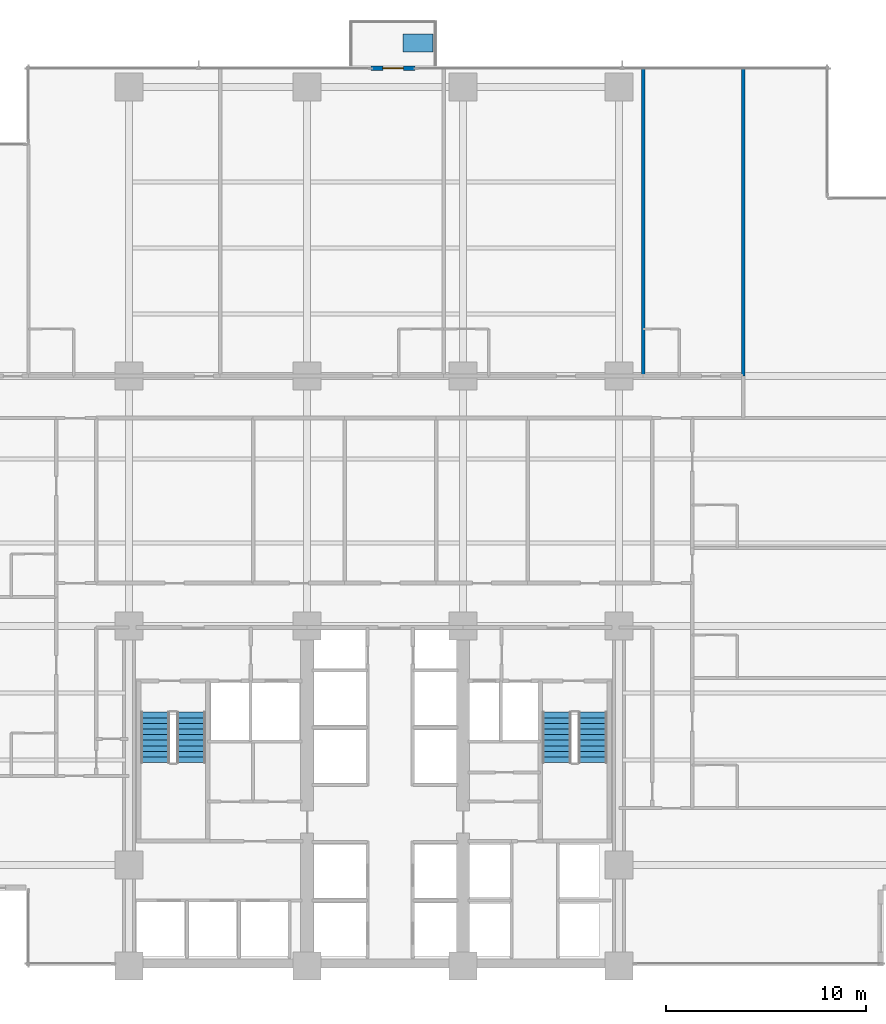
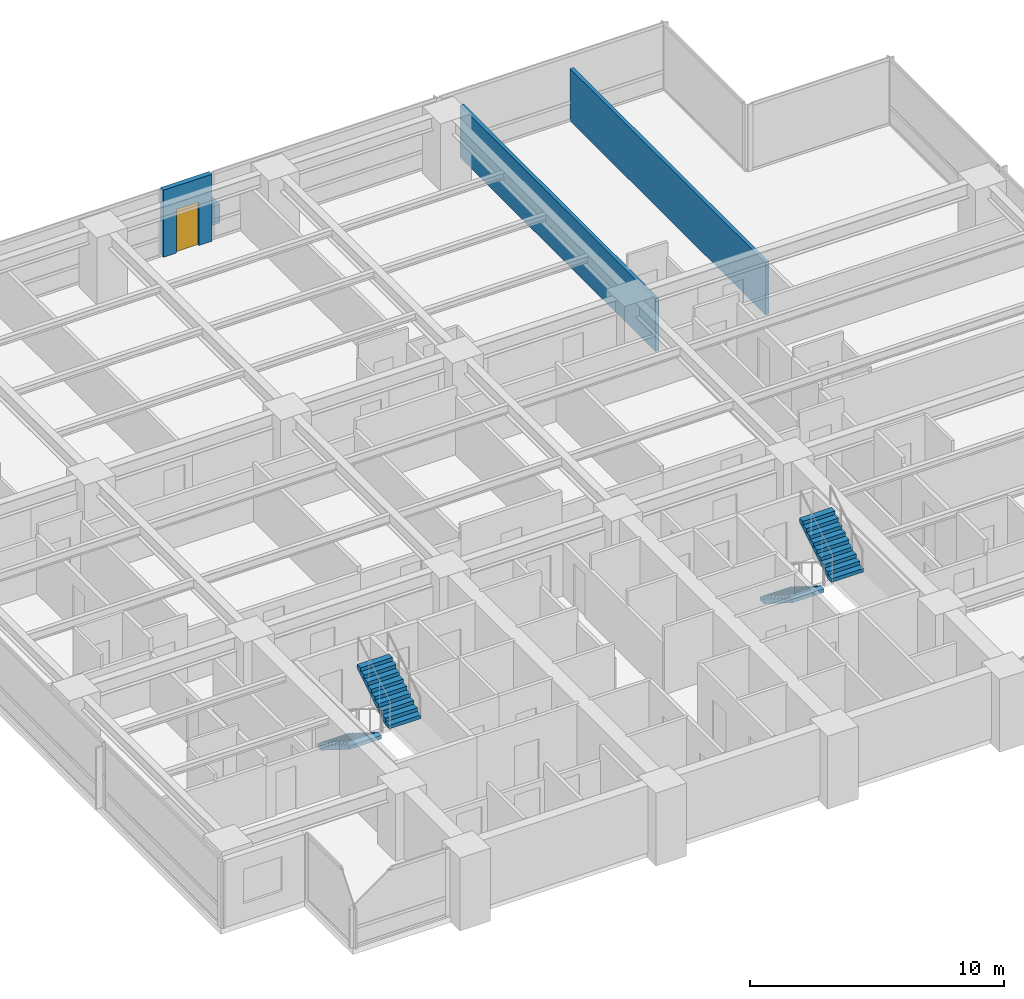
# One storey, part 11 of 17: 4 stair flights, 3 walls, 1 discrete accessory, 1 door, 1 opening, 2 elements without a shape of their own.
"""IFC4 building model written with IfcOpenShell, lengths in metres."""

from ifc_helpers import new_model, si_unit, direction, frame, frame_2d, origin, place, context, subcontext, project, spatial, polyline, rectangle, outline, extrude, material, layer, layer_set, type_object, element, fill, aggregate, save


model = new_model("IFC4")

# Units and contexts
model_context = context("Model", 3, precision=1e-05, world=origin(), true_north=direction((0.0, 1.0)))
body_context = subcontext(model_context, "Body", "Model", "MODEL_VIEW")
ifc_project = project(units=[si_unit("LENGTHUNIT", "METRE"), si_unit("AREAUNIT", "SQUARE_METRE"), si_unit("VOLUMEUNIT", "CUBIC_METRE"), si_unit("PLANEANGLEUNIT", "RADIAN"), si_unit("MASSUNIT", "GRAM", prefix="KILO")], contexts=[model_context])

# Site, building, storey
site_placement = place(None, origin())
site = spatial("IfcSite", under=ifc_project, at=site_placement, CompositionType="ELEMENT")
building_placement = place(site_placement, origin())
building = spatial("IfcBuilding", under=site, at=building_placement, Name="Qalmaran Belvedere Hotel", CompositionType="ELEMENT")
storey_placement = place(building_placement, frame((0.0, 0.0, 47.39990234375)))
storey = spatial("IfcBuildingStorey", under=building, at=storey_placement, Name="L11", CompositionType="ELEMENT", Elevation=47.39990234375)

# Wall, opening, door
ifc_material_1 = material(Name="Anodised Bronze Cladding")
ifc_layer_1 = layer(ifc_material_1, 0.22509765625, Name="Anodised Bronze Cladding")
ifc_layer_set_1 = layer_set([ifc_layer_1], Name="Anodised Bronze Cladding")
wall_type_1 = type_object("IfcWallType", Name="WL-BAL-PORT-225", PredefinedType="SOLIDWALL", material=ifc_layer_set_1)
wall_placement = place(storey_placement, frame((32.39990234375, 48.3798828125, 0.0), z_axis=(0.0, 0.0, 1.0), x_axis=(1.0, 0.0, 0.0)))
wall = element("IfcWall", 1, at=wall_placement, inside=storey, type_object=wall_type_1, Name="L11 Tree Balcony Door Portal", PredefinedType="SOLIDWALL", context=body_context, shape_type="SweptSolid", body=[
    extrude(rectangle(XDim=2.2001953125, YDim=0.22509765625, at=frame_2d((1.10009765625, 0.0))), origin(), (0.0, 0.0, 1.0), 3.22021484375),
])
opening_placement = place(wall_placement, frame((0.590087890625, 0.0, 0.0)))
opening = element("IfcOpeningElement", 2, at=opening_placement, cuts=wall, Name="Opening BL-102", PredefinedType="OPENING", context=body_context, shape_type="SweptSolid", body=[
    extrude(rectangle(XDim=1.02001953125, YDim=2.10009765625, at=frame_2d((0.510009765625, 1.050048828125))), frame((0.0, 0.12255859375, 0.0), z_axis=(0.0, -1.0, 0.0), x_axis=(1.0, 0.0, 0.0)), (0.0, 0.0, 1.0), 0.2451171875),
])
ifc_material_2 = material(Name="Anodised Bronze Aluminium", Category="aluminium")
door_type = type_object("IfcDoorType", Name="DR-BAL-1020X2100", OperationType="NOTDEFINED", PredefinedType="DOOR", material=ifc_material_2)
door_placement = place(opening_placement, origin())
door = element("IfcDoor", 3, at=door_placement, inside=storey, type_object=door_type, Name="L11 Planted Tree Balcony Door", OperationType="SINGLE_SWING_RIGHT", OverallHeight=2.10009765625, OverallWidth=1.02001953125, PredefinedType="DOOR", context=body_context, shape_type="SweptSolid", body=[
    extrude(rectangle(XDim=1.02001953125, YDim=2.10009765625, at=frame_2d((0.510009765625, 1.050048828125))), frame((0.0, 0.02490234375, 0.0), z_axis=(0.0, -1.0, 0.0), x_axis=(1.0, 0.0, 0.0)), (0.0, 0.0, 1.0), 0.050048828125),
])
fill(opening, door)

# Walls
ifc_material_3 = material(Name="Gypsum Stud Partition")
ifc_layer_2 = layer(ifc_material_3, 0.159912109375, Name="Gypsum Stud Partition")
ifc_layer_set_2 = layer_set([ifc_layer_2], Name="Gypsum Stud Partition")
wall_type_2 = type_object("IfcWallType", Name="WL-INT-160-EI60", PredefinedType="PARTITIONING", material=ifc_layer_set_2)
for number, where, z_axis, x_axis, name in (
    (4, (46.000732421875, 33.0, 0.0), (0.0, 0.0, 1.0), (0.0, 1.0, 0.0), "L11 Partition WL-L11-NUR02"),
    (5, (51.0, 33.0, 0.0), (0.0, 0.0, 1.0), (0.0, 1.0, 0.0), "L11 Partition WL-L11-NUR03"),
):
    element("IfcWall", number, at=place(storey_placement, frame(where, z_axis=z_axis, x_axis=x_axis)), inside=storey, type_object=wall_type_2, Name=name, PredefinedType="PARTITIONING", context=body_context, shape_type="SweptSolid", body=[
        extrude(rectangle(XDim=15.3798828125, YDim=0.159912109375, at=frame_2d((7.68994140625, 0.0))), origin(), (0.0, 0.0, 1.0), 2.510009765625),
    ])

# Stair, stair flights
ifc_material_4 = material(Name="Concrete C40/50", Category="concrete")
stair_type_1 = type_object("IfcStairType", Name="STR-ST-1-1450-R1750", PredefinedType="HALF_TURN_STAIR", material=ifc_material_4)
stair_1_placement = place(storey_placement, origin())
stair_1 = element("IfcStair", 6, at=stair_1_placement, inside=storey, type_object=stair_type_1, Name="L11 West Core Exit Stair ST-1", PredefinedType="HALF_TURN_STAIR")
ifc_layer_3 = layer(ifc_material_4, 0.14990234375, Name="Concrete C40/50")
ifc_layer_set_3 = layer_set([ifc_layer_3], Name="Concrete C40/50")
stair_flight_type_1 = type_object("IfcStairFlightType", Name="STF-ST-1-1450-R1750", PredefinedType="STRAIGHT", material=ifc_layer_set_3)
stair_flight_1_placement = place(storey_placement, frame((21.60498046875, 16.18994140625, 0.0), z_axis=(0.0, 0.0, 1.0), x_axis=(0.0, -1.0, 0.0)))
stair_flight_1 = element("IfcStairFlight", 7, at=stair_flight_1_placement, type_object=stair_flight_type_1, Name="ST-1 flight 1", NumberOfRisers=10, NumberOfTreads=9, PredefinedType="STRAIGHT", RiserHeight=0.175, TreadLength=0.28, context=body_context, shape_type="SweptSolid", body=[
    extrude(outline(polyline([(0.0, 0.0), (0.0, 0.175048828125), (0.280029296875, 0.175048828125), (0.280029296875, 0.35009765625), (0.56005859375, 0.35009765625), (0.56005859375, 0.52490234375), (0.840087890625, 0.52490234375), (0.840087890625, 0.699951171875), (1.1201171875, 0.699951171875), (1.1201171875, 0.875), (1.39990234375, 0.875), (1.39990234375, 1.050048828125), (1.679931640625, 1.050048828125), (1.679931640625, 1.22509765625), (1.9599609375, 1.22509765625), (1.9599609375, 1.39990234375), (2.239990234375, 1.39990234375), (2.239990234375, 1.574951171875), (2.52001953125, 1.574951171875), (2.52001953125, 1.75), (2.52001953125, 1.398193359375), (0.28271484375, 0.0), (0.0, 0.0)])), frame((0.0, 0.72509765625, 0.0), z_axis=(0.0, -1.0, 0.0), x_axis=(1.0, 0.0, 0.0)), (0.0, 0.0, 1.0), 1.449951171875),
])
stair_flight_2_placement = place(storey_placement, frame((23.39501953125, 13.669921875, 1.75), z_axis=(0.0, 0.0, 1.0), x_axis=(0.0, 1.0, 0.0)))
stair_flight_2 = element("IfcStairFlight", 8, at=stair_flight_2_placement, type_object=stair_flight_type_1, Name="ST-1 flight 2", NumberOfRisers=10, NumberOfTreads=9, PredefinedType="STRAIGHT", RiserHeight=0.175, TreadLength=0.28, context=body_context, shape_type="SweptSolid", body=[
    extrude(outline(polyline([(0.0, 0.0), (0.0, 0.175048828125), (0.280029296875, 0.175048828125), (0.280029296875, 0.35009765625), (0.56005859375, 0.35009765625), (0.56005859375, 0.52490234375), (0.840087890625, 0.52490234375), (0.840087890625, 0.699951171875), (1.1201171875, 0.699951171875), (1.1201171875, 0.875), (1.39990234375, 0.875), (1.39990234375, 1.050048828125), (1.679931640625, 1.050048828125), (1.679931640625, 1.22509765625), (1.9599609375, 1.22509765625), (1.9599609375, 1.39990234375), (2.239990234375, 1.39990234375), (2.239990234375, 1.574951171875), (2.52001953125, 1.574951171875), (2.52001953125, 1.75), (2.52001953125, 1.398193359375), (0.28271484375, 0.0), (0.0, 0.0)])), frame((0.0, 0.72509765625, 0.0), z_axis=(0.0, -1.0, 0.0), x_axis=(1.0, 0.0, 0.0)), (0.0, 0.0, 1.0), 1.449951171875),
])
aggregate(stair_1, [stair_flight_1, stair_flight_2])

stair_type_2 = type_object("IfcStairType", Name="STR-ST-2-1450-R1750", PredefinedType="HALF_TURN_STAIR", material=ifc_material_4)
stair_2_placement = place(storey_placement, origin())
stair_2 = element("IfcStair", 9, at=stair_2_placement, inside=storey, type_object=stair_type_2, Name="L11 East Core Exit Stair ST-2", PredefinedType="HALF_TURN_STAIR")
ifc_layer_4 = layer(ifc_material_4, 0.14990234375, Name="Concrete C40/50")
ifc_layer_set_4 = layer_set([ifc_layer_4], Name="Concrete C40/50")
stair_flight_type_2 = type_object("IfcStairFlightType", Name="STF-ST-2-1450-R1750", PredefinedType="STRAIGHT", material=ifc_layer_set_4)
stair_flight_3_placement = place(storey_placement, frame((41.68505859375, 16.18994140625, 0.0), z_axis=(0.0, 0.0, 1.0), x_axis=(0.0, -1.0, 0.0)))
stair_flight_3 = element("IfcStairFlight", 10, at=stair_flight_3_placement, type_object=stair_flight_type_2, Name="ST-2 flight 1", NumberOfRisers=10, NumberOfTreads=9, PredefinedType="STRAIGHT", RiserHeight=0.175, TreadLength=0.28, context=body_context, shape_type="SweptSolid", body=[
    extrude(outline(polyline([(0.0, 0.0), (0.0, 0.175048828125), (0.280029296875, 0.175048828125), (0.280029296875, 0.35009765625), (0.56005859375, 0.35009765625), (0.56005859375, 0.52490234375), (0.840087890625, 0.52490234375), (0.840087890625, 0.699951171875), (1.1201171875, 0.699951171875), (1.1201171875, 0.875), (1.39990234375, 0.875), (1.39990234375, 1.050048828125), (1.679931640625, 1.050048828125), (1.679931640625, 1.22509765625), (1.9599609375, 1.22509765625), (1.9599609375, 1.39990234375), (2.239990234375, 1.39990234375), (2.239990234375, 1.574951171875), (2.52001953125, 1.574951171875), (2.52001953125, 1.75), (2.52001953125, 1.398193359375), (0.28271484375, 0.0), (0.0, 0.0)])), frame((0.0, 0.72509765625, 0.0), z_axis=(0.0, -1.0, 0.0), x_axis=(1.0, 0.0, 0.0)), (0.0, 0.0, 1.0), 1.449951171875),
])
stair_flight_4_placement = place(storey_placement, frame((43.47509765625, 13.669921875, 1.75), z_axis=(0.0, 0.0, 1.0), x_axis=(0.0, 1.0, 0.0)))
stair_flight_4 = element("IfcStairFlight", 11, at=stair_flight_4_placement, type_object=stair_flight_type_2, Name="ST-2 flight 2", NumberOfRisers=10, NumberOfTreads=9, PredefinedType="STRAIGHT", RiserHeight=0.175, TreadLength=0.28, context=body_context, shape_type="SweptSolid", body=[
    extrude(outline(polyline([(0.0, 0.0), (0.0, 0.175048828125), (0.280029296875, 0.175048828125), (0.280029296875, 0.35009765625), (0.56005859375, 0.35009765625), (0.56005859375, 0.52490234375), (0.840087890625, 0.52490234375), (0.840087890625, 0.699951171875), (1.1201171875, 0.699951171875), (1.1201171875, 0.875), (1.39990234375, 0.875), (1.39990234375, 1.050048828125), (1.679931640625, 1.050048828125), (1.679931640625, 1.22509765625), (1.9599609375, 1.22509765625), (1.9599609375, 1.39990234375), (2.239990234375, 1.39990234375), (2.239990234375, 1.574951171875), (2.52001953125, 1.574951171875), (2.52001953125, 1.75), (2.52001953125, 1.398193359375), (0.28271484375, 0.0), (0.0, 0.0)])), frame((0.0, 0.72509765625, 0.0), z_axis=(0.0, -1.0, 0.0), x_axis=(1.0, 0.0, 0.0)), (0.0, 0.0, 1.0), 1.449951171875),
])
aggregate(stair_2, [stair_flight_3, stair_flight_4])

# Discrete accessory
discrete_accessory_type = type_object("IfcDiscreteAccessoryType", Name="PLN-BAL-1500", PredefinedType="USERDEFINED", material=ifc_material_4)
discrete_accessory_placement = place(storey_placement, origin())
element("IfcDiscreteAccessory", 12, at=discrete_accessory_placement, inside=storey, type_object=discrete_accessory_type, Name="L11 Sky Tree Planter", ObjectType="PLANTER", PredefinedType="USERDEFINED", context=body_context, shape_type="SweptSolid", body=[
    extrude(outline(polyline([(34.0, 49.199951171875), (35.5, 49.199951171875), (35.5, 50.10009765625), (34.0, 50.10009765625), (34.0, 49.199951171875)])), origin(), (0.0, 0.0, 1.0), 0.900146484375),
])

save(model, "model.ifc")
